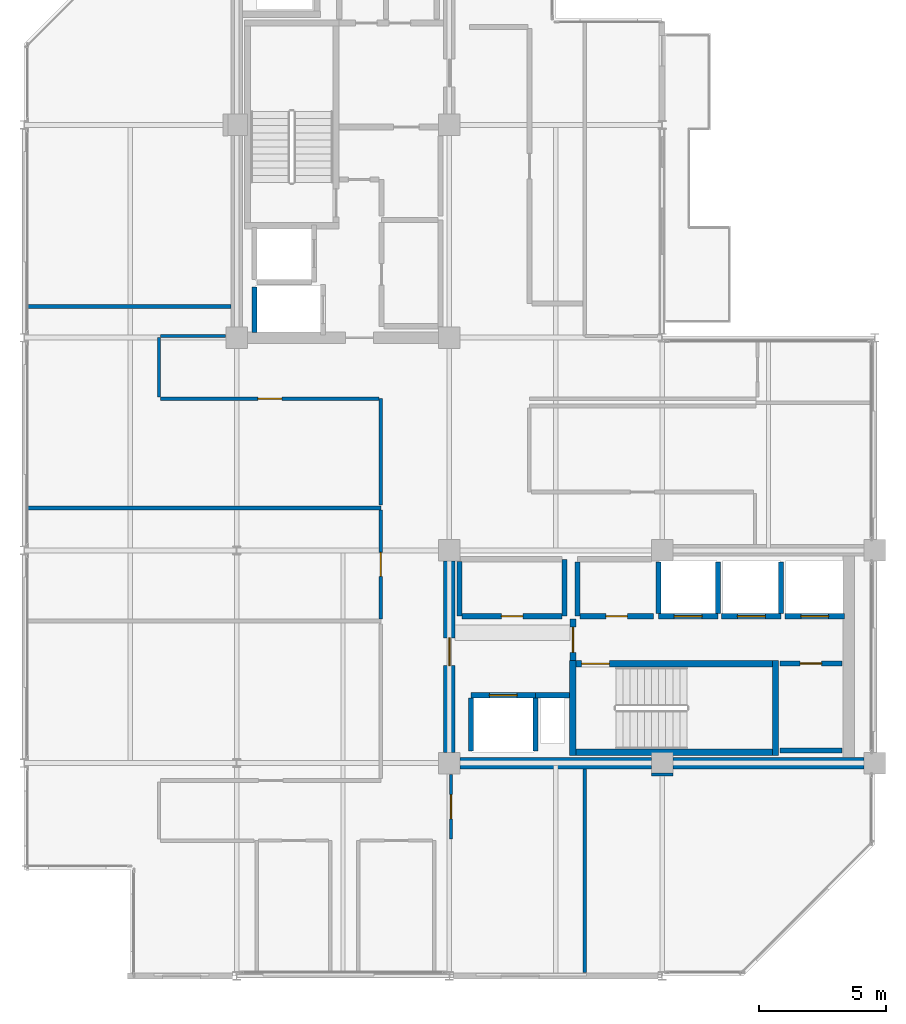
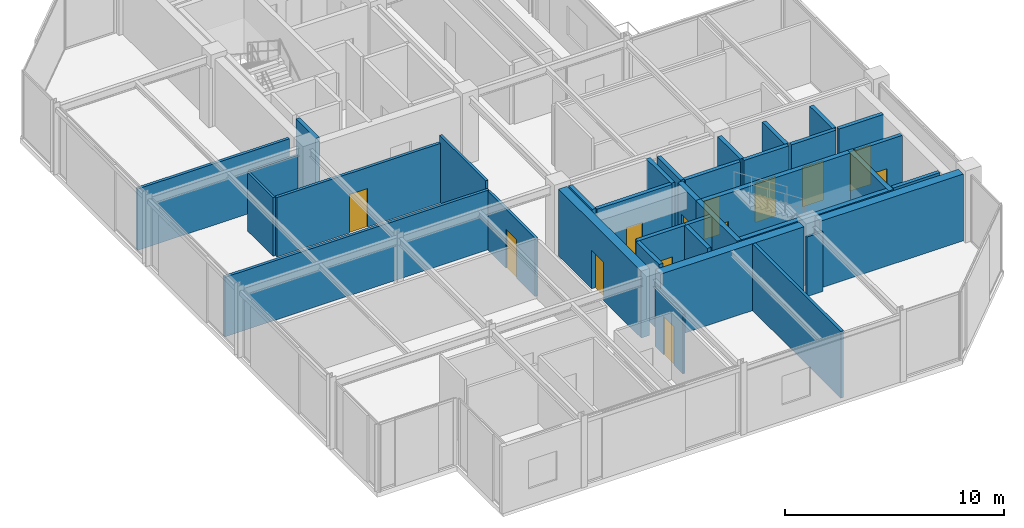
# One storey, part 20 of 24: 36 walls, 13 doors, 13 openings.
"""IFC4 building model written with IfcOpenShell, lengths in metres."""

from ifc_helpers import new_model, si_unit, direction, frame, frame_2d, origin, place, context, subcontext, project, spatial, rectangle, extrude, material, layer, layer_set, type_object, element, fill, save


model = new_model("IFC4")

# Units and contexts
model_context = context("Model", 3, precision=1e-05, world=origin(), true_north=direction((0.0, 1.0)))
body_context = subcontext(model_context, "Body", "Model", "MODEL_VIEW")
ifc_project = project(units=[si_unit("LENGTHUNIT", "METRE"), si_unit("AREAUNIT", "SQUARE_METRE"), si_unit("VOLUMEUNIT", "CUBIC_METRE"), si_unit("PLANEANGLEUNIT", "RADIAN"), si_unit("MASSUNIT", "GRAM", prefix="KILO")], contexts=[model_context])

# Site, building, storey
site_placement = place(None, origin())
site = spatial("IfcSite", under=ifc_project, at=site_placement, CompositionType="ELEMENT")
building_placement = place(site_placement, origin())
building = spatial("IfcBuilding", under=site, at=building_placement, Name="Nerrivon Quay Data Exchange", CompositionType="ELEMENT")
storey_placement = place(building_placement, frame((0.0, 0.0, 294.199951171875)))
storey = spatial("IfcBuildingStorey", under=building, at=storey_placement, Name="L70", CompositionType="ELEMENT", Elevation=294.199951171875)

# Walls
ifc_material_1 = material(Name="Concrete N50 (50 MPa)", Category="concrete")
ifc_layer_1 = layer(ifc_material_1, 0.449951171875)
ifc_layer_set_1 = layer_set([ifc_layer_1], Name="Concrete N50 (50 MPa)")
wall_type_1 = type_object("IfcWallType", Name="WALL-CW-550", PredefinedType="SHEAR", material=ifc_layer_set_1)
wall_1_placement = place(storey_placement, frame((17.22509765625, 8.39990234375, 0.0), z_axis=(0.0, 0.0, 1.0), x_axis=(1.0, 0.0, 0.0)))
element("IfcWall", 1, at=wall_1_placement, inside=storey, type_object=wall_type_1, Name="L70 East Split-Core Shear Wall ECW-S1", PredefinedType="SHEAR", context=body_context, shape_type="SweptSolid", body=[
    extrude(rectangle(XDim=7.5498046875, YDim=0.449951171875, at=frame_2d((3.77490234375, 0.0))), origin(), (0.0, 0.0, 1.0), 3.72509765625),
])
wall_2_placement = place(storey_placement, frame((25.625, 8.39990234375, 0.0), z_axis=(0.0, 0.0, 1.0), x_axis=(1.0, 0.0, 0.0)))
element("IfcWall", 2, at=wall_2_placement, inside=storey, type_object=wall_type_1, Name="L70 East Split-Core Shear Wall ECW-S2", PredefinedType="SHEAR", context=body_context, shape_type="SweptSolid", body=[
    extrude(rectangle(XDim=7.550048828125, YDim=0.449951171875, at=frame_2d((3.77490234375, 0.0))), origin(), (0.0, 0.0, 1.0), 3.72509765625),
])

# Wall, opening, door
wall_3_placement = place(storey_placement, frame((16.800048828125, 8.824951171875, 0.0), z_axis=(0.0, 0.0, 1.0), x_axis=(0.0, 1.0, 0.0)))
wall_3 = element("IfcWall", 3, at=wall_3_placement, inside=storey, type_object=wall_type_1, Name="L70 East Split-Core Shear Wall ECW-W1", PredefinedType="SHEAR", context=body_context, shape_type="SweptSolid", body=[
    extrude(rectangle(XDim=7.550048828125, YDim=0.449951171875, at=frame_2d((3.77490234375, 0.0))), origin(), (0.0, 0.0, 1.0), 3.72509765625),
])
opening_1_placement = place(wall_3_placement, frame((3.425048828125, 0.0, 0.0)))
opening_1 = element("IfcOpeningElement", 4, at=opening_1_placement, cuts=wall_3, Name="Opening FD-120", PredefinedType="OPENING", context=body_context, shape_type="SweptSolid", body=[
    extrude(rectangle(XDim=1.10009765625, YDim=2.14990234375, at=frame_2d((0.550048828125, 1.074951171875))), frame((0.0, 0.23486328125, 0.0), z_axis=(0.0, -1.0, 0.0), x_axis=(1.0, 0.0, 0.0)), (0.0, 0.0, 1.0), 0.469970703125),
])
ifc_material_2 = material(Name="Powder-coated galvanized steel sheet", Category="steel")
door_type_1 = type_object("IfcDoorType", Name="DR-FD120-1100", OperationType="NOTDEFINED", PredefinedType="DOOR", material=ifc_material_2)
door_1_placement = place(opening_1_placement, origin())
door_1 = element("IfcDoor", 5, at=door_1_placement, inside=storey, type_object=door_type_1, Name="L70 East Core Lobby Fire Door", OperationType="SINGLE_SWING_RIGHT", OverallHeight=2.14990234375, OverallWidth=1.10009765625, PredefinedType="DOOR", context=body_context, shape_type="SweptSolid", body=[
    extrude(rectangle(XDim=1.10009765625, YDim=2.14990234375, at=frame_2d((0.550048828125, 1.074951171875))), frame((0.0, 0.02490234375, 0.0), z_axis=(0.0, -1.0, 0.0), x_axis=(1.0, 0.0, 0.0)), (0.0, 0.0, 1.0), 0.050048828125),
])
fill(opening_1, door_1)

# Walls
ifc_material_3 = material(Name="Gypsum plasterboard on cold-formed framing", Category="gypsum")
ifc_layer_2 = layer(ifc_material_3, 0.199951171875)
ifc_layer_set_2 = layer_set([ifc_layer_2], Name="Gypsum plasterboard on cold-formed framing")
wall_type_2 = type_object("IfcWallType", Name="WALL-FW-200", PredefinedType="PARTITIONING", material=ifc_layer_set_2)
wall_4_placement = place(storey_placement, frame((20.199951171875, 11.080078125, 0.0), z_axis=(0.0, 0.0, 1.0), x_axis=(1.0, 0.0, 0.0)))
element("IfcWall", 6, at=wall_4_placement, inside=storey, type_object=wall_type_2, Name="L70 East Core MEP Riser Shaft Wall N", PredefinedType="PARTITIONING", context=body_context, shape_type="SweptSolid", body=[
    extrude(rectangle(XDim=1.35009765625, YDim=0.199951171875, at=frame_2d((0.675048828125, 0.0))), origin(), (0.0, 0.0, 1.0), 3.72509765625),
])
wall_5_placement = place(storey_placement, frame((9.10009765625, 25.39990234375, 0.0), z_axis=(0.0, 0.0, 1.0), x_axis=(0.0, 1.0, 0.0)))
element("IfcWall", 7, at=wall_5_placement, inside=storey, type_object=wall_type_2, Name="L70 Lift Shaft Wall SVL-1 WEST", PredefinedType="PARTITIONING", context=body_context, shape_type="SweptSolid", body=[
    extrude(rectangle(XDim=1.800048828125, YDim=0.199951171875, at=frame_2d((0.89990234375, 0.0))), origin(), (0.0, 0.0, 1.0), 3.72509765625),
])

# Wall, opening, door
wall_6_placement = place(storey_placement, frame((17.64990234375, 11.080078125, 0.0), z_axis=(0.0, 0.0, 1.0), x_axis=(1.0, 0.0, 0.0)))
wall_6 = element("IfcWall", 8, at=wall_6_placement, inside=storey, type_object=wall_type_2, Name="L70 Lift Front Wall FFL-2", PredefinedType="PARTITIONING", context=body_context, shape_type="SweptSolid", body=[
    extrude(rectangle(XDim=2.550048828125, YDim=0.199951171875, at=frame_2d((1.27490234375, 0.0))), origin(), (0.0, 0.0, 1.0), 3.72509765625),
])
opening_2_placement = place(wall_6_placement, frame((0.72509765625, 0.0, 0.0)))
opening_2 = element("IfcOpeningElement", 9, at=opening_2_placement, cuts=wall_6, Name="Opening LD-120", PredefinedType="OPENING", context=body_context, shape_type="SweptSolid", body=[
    extrude(rectangle(XDim=1.10009765625, YDim=2.199951171875, at=frame_2d((0.550048828125, 1.10009765625))), frame((0.0, 0.10986328125, 0.0), z_axis=(0.0, -1.0, 0.0), x_axis=(1.0, 0.0, 0.0)), (0.0, 0.0, 1.0), 0.219970703125),
])
door_type_2 = type_object("IfcDoorType", Name="DR-LIFT-LD120", OperationType="DOUBLE_DOOR_SLIDING", PredefinedType="DOOR", material=ifc_material_2)
door_2_placement = place(opening_2_placement, origin())
door_2 = element("IfcDoor", 10, at=door_2_placement, inside=storey, type_object=door_type_2, Name="L70 Lift Landing Sliding Door FFL-2", OperationType="DOUBLE_DOOR_SLIDING", OverallHeight=2.199951171875, OverallWidth=1.10009765625, PredefinedType="DOOR", context=body_context, shape_type="SweptSolid", body=[
    extrude(rectangle(XDim=1.10009765625, YDim=2.199951171875, at=frame_2d((0.550048828125, 1.10009765625))), frame((0.0, 0.02490234375, 0.0), z_axis=(0.0, -1.0, 0.0), x_axis=(1.0, 0.0, 0.0)), (0.0, 0.0, 1.0), 0.050048828125),
])
fill(opening_2, door_2)

# Walls
for number, where, z_axis, x_axis, name in (
    (11, (20.199951171875, 8.8798828125, 0.0), (0.0, 0.0, 1.0), (0.0, 1.0, 0.0), "L70 Lift Shaft Wall FFL-2 EAST"),
    (12, (17.64990234375, 8.8798828125, 0.0), (0.0, 0.0, 1.0), (0.0, 1.0, 0.0), "L70 Lift Shaft Wall FFL-2 WEST"),
):
    element("IfcWall", number, at=place(storey_placement, frame(where, z_axis=z_axis, x_axis=x_axis)), inside=storey, type_object=wall_type_2, Name=name, PredefinedType="PARTITIONING", context=body_context, shape_type="SweptSolid", body=[
        extrude(rectangle(XDim=2.10009765625, YDim=0.199951171875, at=frame_2d((1.050048828125, 0.0))), origin(), (0.0, 0.0, 1.0), 3.72509765625),
    ])

# Wall, opening, door
wall_7_placement = place(storey_placement, frame((25.050048828125, 14.199951171875, 0.0), z_axis=(0.0, 0.0, 1.0), x_axis=(1.0, 0.0, 0.0)))
wall_7 = element("IfcWall", 13, at=wall_7_placement, inside=storey, type_object=wall_type_2, Name="L70 Lift Front Wall PL7", PredefinedType="PARTITIONING", context=body_context, shape_type="SweptSolid", body=[
    extrude(rectangle(XDim=2.349853515625, YDim=0.199951171875, at=frame_2d((1.1748046875, 0.0))), origin(), (0.0, 0.0, 1.0), 3.72509765625),
])
opening_3_placement = place(wall_7_placement, frame((0.625, 0.0, 0.0)))
opening_3 = element("IfcOpeningElement", 14, at=opening_3_placement, cuts=wall_7, Name="Opening LD-120", PredefinedType="OPENING", context=body_context, shape_type="SweptSolid", body=[
    extrude(rectangle(XDim=1.10009765625, YDim=2.199951171875, at=frame_2d((0.550048828125, 1.10009765625))), frame((0.0, 0.10986328125, 0.0), z_axis=(0.0, -1.0, 0.0), x_axis=(1.0, 0.0, 0.0)), (0.0, 0.0, 1.0), 0.219970703125),
])
door_3_placement = place(opening_3_placement, origin())
door_3 = element("IfcDoor", 15, at=door_3_placement, inside=storey, type_object=door_type_2, Name="L70 Lift Landing Sliding Door PL7", OperationType="DOUBLE_DOOR_SLIDING", OverallHeight=2.199951171875, OverallWidth=1.10009765625, PredefinedType="DOOR", context=body_context, shape_type="SweptSolid", body=[
    extrude(rectangle(XDim=1.10009765625, YDim=2.199951171875, at=frame_2d((0.550048828125, 1.10009765625))), frame((0.0, 0.02490234375, 0.0), z_axis=(0.0, -1.0, 0.0), x_axis=(1.0, 0.0, 0.0)), (0.0, 0.0, 1.0), 0.050048828125),
])
fill(opening_3, door_3)

# Walls
for number, where, z_axis, x_axis, name in (
    (16, (27.39990234375, 14.300048828125, 0.0), (0.0, 0.0, 1.0), (0.0, 1.0, 0.0), "L70 Lift Shaft Wall PL7 EAST"),
    (17, (25.050048828125, 14.300048828125, 0.0), (0.0, 0.0, 1.0), (0.0, 1.0, 0.0), "L70 Lift Shaft Wall PL7 WEST"),
):
    element("IfcWall", number, at=place(storey_placement, frame(where, z_axis=z_axis, x_axis=x_axis)), inside=storey, type_object=wall_type_2, Name=name, PredefinedType="PARTITIONING", context=body_context, shape_type="SweptSolid", body=[
        extrude(rectangle(XDim=2.050048828125, YDim=0.199951171875, at=frame_2d((1.02490234375, 0.0))), origin(), (0.0, 0.0, 1.0), 3.72509765625),
    ])

# Wall, opening, door
wall_8_placement = place(storey_placement, frame((27.550048828125, 14.199951171875, 0.0), z_axis=(0.0, 0.0, 1.0), x_axis=(1.0, 0.0, 0.0)))
wall_8 = element("IfcWall", 18, at=wall_8_placement, inside=storey, type_object=wall_type_2, Name="L70 Lift Front Wall PL8", PredefinedType="PARTITIONING", context=body_context, shape_type="SweptSolid", body=[
    extrude(rectangle(XDim=2.349853515625, YDim=0.199951171875, at=frame_2d((1.1748046875, 0.0))), origin(), (0.0, 0.0, 1.0), 3.72509765625),
])
opening_4_placement = place(wall_8_placement, frame((0.625, 0.0, 0.0)))
opening_4 = element("IfcOpeningElement", 19, at=opening_4_placement, cuts=wall_8, Name="Opening LD-120", PredefinedType="OPENING", context=body_context, shape_type="SweptSolid", body=[
    extrude(rectangle(XDim=1.10009765625, YDim=2.199951171875, at=frame_2d((0.550048828125, 1.10009765625))), frame((0.0, 0.10986328125, 0.0), z_axis=(0.0, -1.0, 0.0), x_axis=(1.0, 0.0, 0.0)), (0.0, 0.0, 1.0), 0.219970703125),
])
door_4_placement = place(opening_4_placement, origin())
door_4 = element("IfcDoor", 20, at=door_4_placement, inside=storey, type_object=door_type_2, Name="L70 Lift Landing Sliding Door PL8", OperationType="DOUBLE_DOOR_SLIDING", OverallHeight=2.199951171875, OverallWidth=1.10009765625, PredefinedType="DOOR", context=body_context, shape_type="SweptSolid", body=[
    extrude(rectangle(XDim=1.10009765625, YDim=2.199951171875, at=frame_2d((0.550048828125, 1.10009765625))), frame((0.0, 0.02490234375, 0.0), z_axis=(0.0, -1.0, 0.0), x_axis=(1.0, 0.0, 0.0)), (0.0, 0.0, 1.0), 0.050048828125),
])
fill(opening_4, door_4)

# Wall
wall_9_placement = place(storey_placement, frame((29.89990234375, 14.300048828125, 0.0), z_axis=(0.0, 0.0, 1.0), x_axis=(0.0, 1.0, 0.0)))
element("IfcWall", 21, at=wall_9_placement, inside=storey, type_object=wall_type_2, Name="L70 Lift Shaft Wall PL8 EAST", PredefinedType="PARTITIONING", context=body_context, shape_type="SweptSolid", body=[
    extrude(rectangle(XDim=2.050048828125, YDim=0.199951171875, at=frame_2d((1.02490234375, 0.0))), origin(), (0.0, 0.0, 1.0), 3.72509765625),
])

# Wall, opening, door
wall_10_placement = place(storey_placement, frame((30.050048828125, 14.199951171875, 0.0), z_axis=(0.0, 0.0, 1.0), x_axis=(1.0, 0.0, 0.0)))
wall_10 = element("IfcWall", 22, at=wall_10_placement, inside=storey, type_object=wall_type_2, Name="L70 Lift Front Wall PL9", PredefinedType="PARTITIONING", context=body_context, shape_type="SweptSolid", body=[
    extrude(rectangle(XDim=2.349853515625, YDim=0.199951171875, at=frame_2d((1.1748046875, 0.0))), origin(), (0.0, 0.0, 1.0), 3.72509765625),
])
opening_5_placement = place(wall_10_placement, frame((0.625, 0.0, 0.0)))
opening_5 = element("IfcOpeningElement", 23, at=opening_5_placement, cuts=wall_10, Name="Opening LD-120", PredefinedType="OPENING", context=body_context, shape_type="SweptSolid", body=[
    extrude(rectangle(XDim=1.10009765625, YDim=2.199951171875, at=frame_2d((0.550048828125, 1.10009765625))), frame((0.0, 0.10986328125, 0.0), z_axis=(0.0, -1.0, 0.0), x_axis=(1.0, 0.0, 0.0)), (0.0, 0.0, 1.0), 0.219970703125),
])
door_5_placement = place(opening_5_placement, origin())
door_5 = element("IfcDoor", 24, at=door_5_placement, inside=storey, type_object=door_type_2, Name="L70 Lift Landing Sliding Door PL9", OperationType="DOUBLE_DOOR_SLIDING", OverallHeight=2.199951171875, OverallWidth=1.10009765625, PredefinedType="DOOR", context=body_context, shape_type="SweptSolid", body=[
    extrude(rectangle(XDim=1.10009765625, YDim=2.199951171875, at=frame_2d((0.550048828125, 1.10009765625))), frame((0.0, 0.02490234375, 0.0), z_axis=(0.0, -1.0, 0.0), x_axis=(1.0, 0.0, 0.0)), (0.0, 0.0, 1.0), 0.050048828125),
])
fill(opening_5, door_5)

# Walls
wall_11_placement = place(storey_placement, frame((21.35009765625, 14.199951171875, 0.0), z_axis=(0.0, 0.0, 1.0), x_axis=(0.0, 1.0, 0.0)))
element("IfcWall", 25, at=wall_11_placement, inside=storey, type_object=wall_type_2, Name="L70 Partition High-Zone Optical Closet", PredefinedType="PARTITIONING", context=body_context, shape_type="SweptSolid", body=[
    extrude(rectangle(XDim=2.25, YDim=0.199951171875, at=frame_2d((1.125, 0.0))), origin(), (0.0, 0.0, 1.0), 3.72509765625),
])
wall_12_placement = place(storey_placement, frame((17.199951171875, 16.3701171875, 0.0), z_axis=(0.0, 0.0, 1.0), x_axis=(0.0, -1.0, 0.0)))
element("IfcWall", 26, at=wall_12_placement, inside=storey, type_object=wall_type_2, Name="L70 Partition High-Zone Optical Closet", PredefinedType="PARTITIONING", context=body_context, shape_type="SweptSolid", body=[
    extrude(rectangle(XDim=2.170166015625, YDim=0.199951171875, at=frame_2d((1.0849609375, 0.0))), origin(), (0.0, 0.0, 1.0), 3.72509765625),
])

# Wall, opening, door
wall_13_placement = place(storey_placement, frame((17.303955078125, 14.199951171875, 0.0), z_axis=(0.0, 0.0, 1.0), x_axis=(1.0, 0.0, 0.0)))
wall_13 = element("IfcWall", 27, at=wall_13_placement, inside=storey, type_object=wall_type_2, Name="L70 Partition High-Zone Optical Closet", PredefinedType="PARTITIONING", context=body_context, shape_type="SweptSolid", body=[
    extrude(rectangle(XDim=3.942138671875, YDim=0.199951171875, at=frame_2d((1.97119140625, 0.0))), origin(), (0.0, 0.0, 1.0), 3.72509765625),
])
opening_6_placement = place(wall_13_placement, frame((1.5458984375, 0.0, 0.0)))
opening_6 = element("IfcOpeningElement", 28, at=opening_6_placement, cuts=wall_13, Name="Opening FD-60S", PredefinedType="OPENING", context=body_context, shape_type="SweptSolid", body=[
    extrude(rectangle(XDim=0.85009765625, YDim=2.14990234375, at=frame_2d((0.425048828125, 1.074951171875))), frame((0.0, 0.10986328125, 0.0), z_axis=(0.0, -1.0, 0.0), x_axis=(1.0, 0.0, 0.0)), (0.0, 0.0, 1.0), 0.219970703125),
])
ifc_material_4 = material(Name="Engineered hardwood timber", Category="wood")
door_type_3 = type_object("IfcDoorType", Name="DR-FD60-850", OperationType="NOTDEFINED", PredefinedType="DOOR", material=ifc_material_4)
door_6_placement = place(opening_6_placement, origin())
door_6 = element("IfcDoor", 29, at=door_6_placement, inside=storey, type_object=door_type_3, Name="L70 Door High-Zone Optical Closet", OperationType="SINGLE_SWING_LEFT", OverallHeight=2.14990234375, OverallWidth=0.85009765625, PredefinedType="DOOR", context=body_context, shape_type="SweptSolid", body=[
    extrude(rectangle(XDim=0.85009765625, YDim=2.14990234375, at=frame_2d((0.425048828125, 1.074951171875))), frame((0.0, 0.02490234375, 0.0), z_axis=(0.0, -1.0, 0.0), x_axis=(1.0, 0.0, 0.0)), (0.0, 0.0, 1.0), 0.050048828125),
])
fill(opening_6, door_6)

# Wall
wall_14_placement = place(storey_placement, frame((21.85009765625, 16.345947265625, 0.0), z_axis=(0.0, 0.0, 1.0), x_axis=(0.0, -1.0, 0.0)))
element("IfcWall", 30, at=wall_14_placement, inside=storey, type_object=wall_type_2, Name="L70 Partition High-Zone Supply Store", PredefinedType="PARTITIONING", context=body_context, shape_type="SweptSolid", body=[
    extrude(rectangle(XDim=2.14599609375, YDim=0.199951171875, at=frame_2d((1.072998046875, 0.0))), origin(), (0.0, 0.0, 1.0), 3.72509765625),
])

# Wall, opening, door
wall_15_placement = place(storey_placement, frame((21.9541015625, 14.199951171875, 0.0), z_axis=(0.0, 0.0, 1.0), x_axis=(1.0, 0.0, 0.0)))
wall_15 = element("IfcWall", 31, at=wall_15_placement, inside=storey, type_object=wall_type_2, Name="L70 Partition High-Zone Supply Store", PredefinedType="PARTITIONING", context=body_context, shape_type="SweptSolid", body=[
    extrude(rectangle(XDim=2.89599609375, YDim=0.199951171875, at=frame_2d((1.447998046875, 0.0))), origin(), (0.0, 0.0, 1.0), 3.72509765625),
])
opening_7_placement = place(wall_15_placement, frame((1.02294921875, 0.0, 0.0)))
opening_7 = element("IfcOpeningElement", 32, at=opening_7_placement, cuts=wall_15, Name="Opening FD-60S", PredefinedType="OPENING", context=body_context, shape_type="SweptSolid", body=[
    extrude(rectangle(XDim=0.85009765625, YDim=2.14990234375, at=frame_2d((0.425048828125, 1.074951171875))), frame((0.0, 0.10986328125, 0.0), z_axis=(0.0, -1.0, 0.0), x_axis=(1.0, 0.0, 0.0)), (0.0, 0.0, 1.0), 0.219970703125),
])
door_7_placement = place(opening_7_placement, origin())
door_7 = element("IfcDoor", 33, at=door_7_placement, inside=storey, type_object=door_type_3, Name="L70 Door High-Zone Supply Store", OperationType="SINGLE_SWING_RIGHT", OverallHeight=2.14990234375, OverallWidth=0.85009765625, PredefinedType="DOOR", context=body_context, shape_type="SweptSolid", body=[
    extrude(rectangle(XDim=0.85009765625, YDim=2.14990234375, at=frame_2d((0.425048828125, 1.074951171875))), frame((0.0, 0.02490234375, 0.0), z_axis=(0.0, -1.0, 0.0), x_axis=(1.0, 0.0, 0.0)), (0.0, 0.0, 1.0), 0.050048828125),
])
fill(opening_7, door_7)

wall_16_placement = place(storey_placement, frame((32.300048828125, 12.330078125, 0.0), z_axis=(0.0, 0.0, 1.0), x_axis=(-1.0, 0.0, 0.0)))
wall_16 = element("IfcWall", 34, at=wall_16_placement, inside=storey, type_object=wall_type_2, Name="L70 Partition East Supply Store", PredefinedType="PARTITIONING", context=body_context, shape_type="SweptSolid", body=[
    extrude(rectangle(XDim=2.449951171875, YDim=0.199951171875, at=frame_2d((1.22509765625, 0.0))), origin(), (0.0, 0.0, 1.0), 3.72509765625),
])
opening_8_placement = place(wall_16_placement, frame((0.800048828125, 0.0, 0.0)))
opening_8 = element("IfcOpeningElement", 35, at=opening_8_placement, cuts=wall_16, Name="Opening FD-60S", PredefinedType="OPENING", context=body_context, shape_type="SweptSolid", body=[
    extrude(rectangle(XDim=0.85009765625, YDim=2.14990234375, at=frame_2d((0.425048828125, 1.074951171875))), frame((0.0, 0.10986328125, 0.0), z_axis=(0.0, -1.0, 0.0), x_axis=(1.0, 0.0, 0.0)), (0.0, 0.0, 1.0), 0.219970703125),
])
door_8_placement = place(opening_8_placement, origin())
door_8 = element("IfcDoor", 36, at=door_8_placement, inside=storey, type_object=door_type_3, Name="L70 Door East Supply Store", OperationType="SINGLE_SWING_LEFT", OverallHeight=2.14990234375, OverallWidth=0.85009765625, PredefinedType="DOOR", context=body_context, shape_type="SweptSolid", body=[
    extrude(rectangle(XDim=0.85009765625, YDim=2.14990234375, at=frame_2d((0.425048828125, 1.074951171875))), frame((0.0, 0.02490234375, 0.0), z_axis=(0.0, -1.0, 0.0), x_axis=(1.0, 0.0, 0.0)), (0.0, 0.0, 1.0), 0.050048828125),
])
fill(opening_8, door_8)

# Wall
wall_17_placement = place(storey_placement, frame((29.85009765625, 8.89990234375, 0.0), z_axis=(0.0, 0.0, 1.0), x_axis=(1.0, 0.0, 0.0)))
element("IfcWall", 37, at=wall_17_placement, inside=storey, type_object=wall_type_2, Name="L70 Partition East Supply Store", PredefinedType="PARTITIONING", context=body_context, shape_type="SweptSolid", body=[
    extrude(rectangle(XDim=2.449951171875, YDim=0.199951171875, at=frame_2d((1.22509765625, 0.0))), origin(), (0.0, 0.0, 1.0), 3.72509765625),
])

# Wall, opening, door
ifc_layer_3 = layer(ifc_material_3, 0.1201171875)
ifc_layer_set_3 = layer_set([ifc_layer_3], Name="Gypsum plasterboard on cold-formed framing")
wall_type_3 = type_object("IfcWallType", Name="WALL-PT-120", PredefinedType="PARTITIONING", material=ifc_layer_set_3)
wall_18_placement = place(storey_placement, frame((16.860107421875, 7.955078125, 0.0), z_axis=(0.0, 0.0, 1.0), x_axis=(0.0, -1.0, 0.0)))
wall_18 = element("IfcWall", 38, at=wall_18_placement, inside=storey, type_object=wall_type_3, Name="L70 Partition Staff Pantry", PredefinedType="PARTITIONING", context=body_context, shape_type="SweptSolid", body=[
    extrude(rectangle(XDim=2.55517578125, YDim=0.1201171875, at=frame_2d((1.277587890625, 0.0))), origin(), (0.0, 0.0, 1.0), 3.319091796875),
])
opening_9_placement = place(wall_18_placement, frame((0.802490234375, 0.0, 0.0)))
opening_9 = element("IfcOpeningElement", 39, at=opening_9_placement, cuts=wall_18, Name="Opening D-01", PredefinedType="OPENING", context=body_context, shape_type="SweptSolid", body=[
    extrude(rectangle(XDim=0.949951171875, YDim=2.14990234375, at=frame_2d((0.47509765625, 1.074951171875))), frame((0.0, 0.070068359375, 0.0), z_axis=(0.0, -1.0, 0.0), x_axis=(1.0, 0.0, 0.0)), (0.0, 0.0, 1.0), 0.14013671875),
])
door_type_4 = type_object("IfcDoorType", Name="DR-INT-950", OperationType="NOTDEFINED", PredefinedType="DOOR", material=ifc_material_4)
door_9_placement = place(opening_9_placement, origin())
door_9 = element("IfcDoor", 40, at=door_9_placement, inside=storey, type_object=door_type_4, Name="L70 Door Staff Pantry", OperationType="SINGLE_SWING_RIGHT", OverallHeight=2.14990234375, OverallWidth=0.949951171875, PredefinedType="DOOR", context=body_context, shape_type="SweptSolid", body=[
    extrude(rectangle(XDim=0.949951171875, YDim=2.14990234375, at=frame_2d((0.47509765625, 1.074951171875))), frame((0.0, 0.02490234375, 0.0), z_axis=(0.0, -1.0, 0.0), x_axis=(1.0, 0.0, 0.0)), (0.0, 0.0, 1.0), 0.050048828125),
])
fill(opening_9, door_9)

# Walls
wall_19_placement = place(storey_placement, frame((5.39990234375, 25.260009765625, 0.0), z_axis=(0.0, 0.0, 1.0), x_axis=(1.0, 0.0, 0.0)))
element("IfcWall", 41, at=wall_19_placement, inside=storey, type_object=wall_type_3, Name="L70 Partition Quiet Reading Room", PredefinedType="PARTITIONING", context=body_context, shape_type="SweptSolid", body=[
    extrude(rectangle(XDim=2.55517578125, YDim=0.1201171875, at=frame_2d((1.277587890625, 0.0))), origin(), (0.0, 0.0, 1.0), 3.27099609375),
])
wall_20_placement = place(storey_placement, frame((5.340087890625, 22.85009765625, 0.0), z_axis=(0.0, 0.0, 1.0), x_axis=(0.0, 1.0, 0.0)))
element("IfcWall", 42, at=wall_20_placement, inside=storey, type_object=wall_type_3, Name="L70 Partition Quiet Reading Room", PredefinedType="PARTITIONING", context=body_context, shape_type="SweptSolid", body=[
    extrude(rectangle(XDim=2.349853515625, YDim=0.1201171875, at=frame_2d((1.1748046875, 0.0))), origin(), (0.0, 0.0, 1.0), 3.27099609375),
])
wall_21_placement = place(storey_placement, frame((25.630859375, 7.955810546875, 0.0), z_axis=(0.0, 0.0, 1.0), x_axis=(-0.99999963391, -0.000855675671, 0.0)))
element("IfcWall", 43, at=wall_21_placement, inside=storey, type_object=wall_type_3, Name="L70 Partition Technical Library", PredefinedType="PARTITIONING", context=body_context, shape_type="SweptSolid", body=[
    extrude(rectangle(XDim=0.85595703125, YDim=0.1201171875, at=frame_2d((0.427978515625, 0.0))), origin(), (0.0, 0.0, 1.0), 3.319091796875),
])

# Wall, opening, door
ifc_layer_4 = layer(ifc_material_3, 0.135009765625)
ifc_layer_set_4 = layer_set([ifc_layer_4], Name="Gypsum plasterboard on cold-formed framing")
wall_type_4 = type_object("IfcWallType", Name="WALL-PT-135", PredefinedType="PARTITIONING", material=ifc_layer_set_4)
wall_22_placement = place(storey_placement, frame((14.090087890625, 14.095947265625, 0.0), z_axis=(0.0, 0.0, 1.0), x_axis=(0.0, 1.0, 0.0)))
wall_22 = element("IfcWall", 44, at=wall_22_placement, inside=storey, type_object=wall_type_4, Name="L70 Partition Staff Tea Pantry", PredefinedType="PARTITIONING", context=body_context, shape_type="SweptSolid", body=[
    extrude(rectangle(XDim=4.303466796875, YDim=0.135009765625, at=frame_2d((2.15185546875, 0.0))), origin(), (0.0, 0.0, 1.0), 3.27099609375),
])
opening_10_placement = place(wall_22_placement, frame((1.6767578125, 0.0, 0.0)))
opening_10 = element("IfcOpeningElement", 45, at=opening_10_placement, cuts=wall_22, Name="Opening D-01", PredefinedType="OPENING", context=body_context, shape_type="SweptSolid", body=[
    extrude(rectangle(XDim=0.949951171875, YDim=2.14990234375, at=frame_2d((0.47509765625, 1.074951171875))), frame((0.0, 0.077392578125, 0.0), z_axis=(0.0, -1.0, 0.0), x_axis=(1.0, 0.0, 0.0)), (0.0, 0.0, 1.0), 0.155029296875),
])
door_10_placement = place(opening_10_placement, origin())
door_10 = element("IfcDoor", 46, at=door_10_placement, inside=storey, type_object=door_type_4, Name="L70 Door Staff Tea Pantry", OperationType="SINGLE_SWING_LEFT", OverallHeight=2.14990234375, OverallWidth=0.949951171875, PredefinedType="DOOR", context=body_context, shape_type="SweptSolid", body=[
    extrude(rectangle(XDim=0.949951171875, YDim=2.14990234375, at=frame_2d((0.47509765625, 1.074951171875))), frame((0.0, 0.02490234375, 0.0), z_axis=(0.0, -1.0, 0.0), x_axis=(1.0, 0.0, 0.0)), (0.0, 0.0, 1.0), 0.050048828125),
])
fill(opening_10, door_10)

# Walls
wall_23_placement = place(storey_placement, frame((14.090087890625, 18.598388671875, 0.0), z_axis=(0.0, 0.0, 1.0), x_axis=(0.0, 1.0, 0.0)))
element("IfcWall", 47, at=wall_23_placement, inside=storey, type_object=wall_type_4, Name="L70 Partition Quiet Reading Room", PredefinedType="PARTITIONING", context=body_context, shape_type="SweptSolid", body=[
    extrude(rectangle(XDim=4.191650390625, YDim=0.135009765625, at=frame_2d((2.095703125, 0.0))), origin(), (0.0, 0.0, 1.0), 3.72509765625),
])
ifc_layer_5 = layer(ifc_material_3, 0.14990234375)
ifc_layer_set_5 = layer_set([ifc_layer_5], Name="Gypsum plasterboard on cold-formed framing")
wall_type_5 = type_object("IfcWallType", Name="WALL-PT-150", PredefinedType="PARTITIONING", material=ifc_layer_set_5)
wall_24_placement = place(storey_placement, frame((22.14404296875, 0.1240234375, 0.0), z_axis=(0.0, 0.0, 1.0), x_axis=(0.0, 1.0, 0.0)))
element("IfcWall", 48, at=wall_24_placement, inside=storey, type_object=wall_type_5, Name="L70 Partition Staff Pantry", PredefinedType="PARTITIONING", context=body_context, shape_type="SweptSolid", body=[
    extrude(rectangle(XDim=8.046875, YDim=0.14990234375, at=frame_2d((4.0234375, 0.0))), origin(), (0.0, 0.0, 1.0), 3.72509765625),
])
wall_25_placement = place(storey_placement, frame((14.090087890625, 18.478515625, 0.0), z_axis=(0.0, 0.0, 1.0), x_axis=(-1.0, 0.0, 0.0)))
element("IfcWall", 49, at=wall_25_placement, inside=storey, type_object=wall_type_5, Name="L70 Partition Staff Tea Pantry", PredefinedType="PARTITIONING", context=body_context, shape_type="SweptSolid", body=[
    extrude(rectangle(XDim=13.921142578125, YDim=0.14990234375, at=frame_2d((6.96044921875, 0.0))), origin(), (0.0, 0.0, 1.0), 3.319091796875),
])
wall_26_placement = place(storey_placement, frame((8.1708984375, 26.4248046875, 0.0), z_axis=(0.0, 0.0, 1.0), x_axis=(-1.0, 0.0, 0.0)))
element("IfcWall", 50, at=wall_26_placement, inside=storey, type_object=wall_type_5, Name="L70 Partition Quiet Reading Room", PredefinedType="PARTITIONING", context=body_context, shape_type="SweptSolid", body=[
    extrude(rectangle(XDim=8.001953125, YDim=0.14990234375, at=frame_2d((4.0009765625, 0.0))), origin(), (0.0, 0.0, 1.0), 3.421142578125),
])

# Wall, opening, door
wall_27_placement = place(storey_placement, frame((14.0185546875, 22.7900390625, 0.0), z_axis=(0.0, 0.0, 1.0), x_axis=(-1.0, 0.0, 0.0)))
wall_27 = element("IfcWall", 51, at=wall_27_placement, inside=storey, type_object=wall_type_5, Name="L70 Partition Quiet Reading Room", PredefinedType="PARTITIONING", context=body_context, shape_type="SweptSolid", body=[
    extrude(rectangle(XDim=8.61865234375, YDim=0.14990234375, at=frame_2d((4.309326171875, 0.0))), origin(), (0.0, 0.0, 1.0), 3.319091796875),
])
opening_11_placement = place(wall_27_placement, frame((3.834228515625, 0.0, 0.0)))
opening_11 = element("IfcOpeningElement", 52, at=opening_11_placement, cuts=wall_27, Name="Opening D-01", PredefinedType="OPENING", context=body_context, shape_type="SweptSolid", body=[
    extrude(rectangle(XDim=0.949951171875, YDim=2.14990234375, at=frame_2d((0.47509765625, 1.074951171875))), frame((0.0, 0.0849609375, 0.0), z_axis=(0.0, -1.0, 0.0), x_axis=(1.0, 0.0, 0.0)), (0.0, 0.0, 1.0), 0.169921875),
])
door_11_placement = place(opening_11_placement, origin())
door_11 = element("IfcDoor", 53, at=door_11_placement, inside=storey, type_object=door_type_4, Name="L70 Door Quiet Reading Room", OperationType="SINGLE_SWING_RIGHT", OverallHeight=2.14990234375, OverallWidth=0.949951171875, PredefinedType="DOOR", context=body_context, shape_type="SweptSolid", body=[
    extrude(rectangle(XDim=0.949951171875, YDim=2.14990234375, at=frame_2d((0.47509765625, 1.074951171875))), frame((0.0, 0.02490234375, 0.0), z_axis=(0.0, -1.0, 0.0), x_axis=(1.0, 0.0, 0.0)), (0.0, 0.0, 1.0), 0.050048828125),
])
fill(opening_11, door_11)

# Walls
ifc_layer_6 = layer(ifc_material_1, 0.25)
ifc_layer_set_6 = layer_set([ifc_layer_6], Name="Concrete N50 (50 MPa)")
wall_type_6 = type_object("IfcWallType", Name="WALL-SW-250", PredefinedType="SHEAR", material=ifc_layer_set_6)
for number, where, z_axis, x_axis, name in (
    (54, (21.675048828125, 8.699951171875, 0.0), (0.0, 0.0, 1.0), (0.0, 1.0, 0.0), "L70 ST02 Structural Stair Core Wall NEAR"),
    (55, (29.675048828125, 8.699951171875, 0.0), (0.0, 0.0, 1.0), (0.0, 1.0, 0.0), "L70 ST02 Structural Stair Core Wall FAR"),
):
    element("IfcWall", number, at=place(storey_placement, frame(where, z_axis=z_axis, x_axis=x_axis)), inside=storey, type_object=wall_type_6, Name=name, PredefinedType="SHEAR", context=body_context, shape_type="SweptSolid", body=[
        extrude(rectangle(XDim=3.75, YDim=0.25, at=frame_2d((1.875, 0.0))), origin(), (0.0, 0.0, 1.0), 3.72509765625),
    ])
wall_28_placement = place(storey_placement, frame((21.800048828125, 8.824951171875, 0.0), z_axis=(0.0, 0.0, 1.0), x_axis=(1.0, 0.0, 0.0)))
element("IfcWall", 56, at=wall_28_placement, inside=storey, type_object=wall_type_6, Name="L70 ST02 Structural Stair Core Wall LEFT", PredefinedType="SHEAR", context=body_context, shape_type="SweptSolid", body=[
    extrude(rectangle(XDim=7.75, YDim=0.25, at=frame_2d((3.875, 0.0))), origin(), (0.0, 0.0, 1.0), 3.72509765625),
])

# Wall, opening, door
wall_29_placement = place(storey_placement, frame((21.800048828125, 12.324951171875, 0.0), z_axis=(0.0, 0.0, 1.0), x_axis=(1.0, 0.0, 0.0)))
wall_29 = element("IfcWall", 57, at=wall_29_placement, inside=storey, type_object=wall_type_6, Name="L70 ST02 Structural Stair Core Wall RIGHT", PredefinedType="SHEAR", context=body_context, shape_type="SweptSolid", body=[
    extrude(rectangle(XDim=7.75, YDim=0.25, at=frame_2d((3.875, 0.0))), origin(), (0.0, 0.0, 1.0), 3.72509765625),
])
opening_12_placement = place(wall_29_placement, frame((0.219970703125, 0.0, 0.0)))
opening_12 = element("IfcOpeningElement", 58, at=opening_12_placement, cuts=wall_29, Name="Opening FD-120", PredefinedType="OPENING", context=body_context, shape_type="SweptSolid", body=[
    extrude(rectangle(XDim=1.10009765625, YDim=2.14990234375, at=frame_2d((0.550048828125, 1.074951171875))), frame((0.0, 0.135009765625, 0.0), z_axis=(0.0, -1.0, 0.0), x_axis=(1.0, 0.0, 0.0)), (0.0, 0.0, 1.0), 0.27001953125),
])
door_12_placement = place(opening_12_placement, origin())
door_12 = element("IfcDoor", 59, at=door_12_placement, inside=storey, type_object=door_type_1, Name="L70 Protected Stair Door ST02", OperationType="SINGLE_SWING_RIGHT", OverallHeight=2.14990234375, OverallWidth=1.10009765625, PredefinedType="DOOR", context=body_context, shape_type="SweptSolid", body=[
    extrude(rectangle(XDim=1.10009765625, YDim=2.14990234375, at=frame_2d((0.550048828125, 1.074951171875))), frame((0.0, 0.02490234375, 0.0), z_axis=(0.0, -1.0, 0.0), x_axis=(1.0, 0.0, 0.0)), (0.0, 0.0, 1.0), 0.050048828125),
])
fill(opening_12, door_12)

wall_30_placement = place(storey_placement, frame((21.679931640625, 12.449951171875, 0.0), z_axis=(0.0, 0.0, 1.0), x_axis=(0.0, 1.0, 0.0)))
wall_30 = element("IfcWall", 60, at=wall_30_placement, inside=storey, type_object=wall_type_6, Name="L70 East Firefighting Lobby Wall", PredefinedType="SHEAR", context=body_context, shape_type="SweptSolid", body=[
    extrude(rectangle(XDim=1.650146484375, YDim=0.25, at=frame_2d((0.8251953125, 0.0))), origin(), (0.0, 0.0, 1.0), 3.72509765625),
])
opening_13_placement = place(wall_30_placement, frame((0.324951171875, 0.0, 0.0)))
opening_13 = element("IfcOpeningElement", 61, at=opening_13_placement, cuts=wall_30, Name="Opening FD-60", PredefinedType="OPENING", context=body_context, shape_type="SweptSolid", body=[
    extrude(rectangle(XDim=1.0, YDim=2.14990234375, at=frame_2d((0.5, 1.074951171875))), frame((0.0, 0.135009765625, 0.0), z_axis=(0.0, -1.0, 0.0), x_axis=(1.0, 0.0, 0.0)), (0.0, 0.0, 1.0), 0.27001953125),
])
door_type_5 = type_object("IfcDoorType", Name="DR-FD60-1000", OperationType="NOTDEFINED", PredefinedType="DOOR", material=ifc_material_4)
door_13_placement = place(opening_13_placement, origin())
door_13 = element("IfcDoor", 62, at=door_13_placement, inside=storey, type_object=door_type_5, Name="L70 East Firefighting Lobby Fire Door", OperationType="SINGLE_SWING_RIGHT", OverallHeight=2.14990234375, OverallWidth=1.0, PredefinedType="DOOR", context=body_context, shape_type="SweptSolid", body=[
    extrude(rectangle(XDim=1.0, YDim=2.14990234375, at=frame_2d((0.5, 1.074951171875))), frame((0.0, 0.02490234375, 0.0), z_axis=(0.0, -1.0, 0.0), x_axis=(1.0, 0.0, 0.0)), (0.0, 0.0, 1.0), 0.050048828125),
])
fill(opening_13, door_13)

save(model, "model.ifc")
